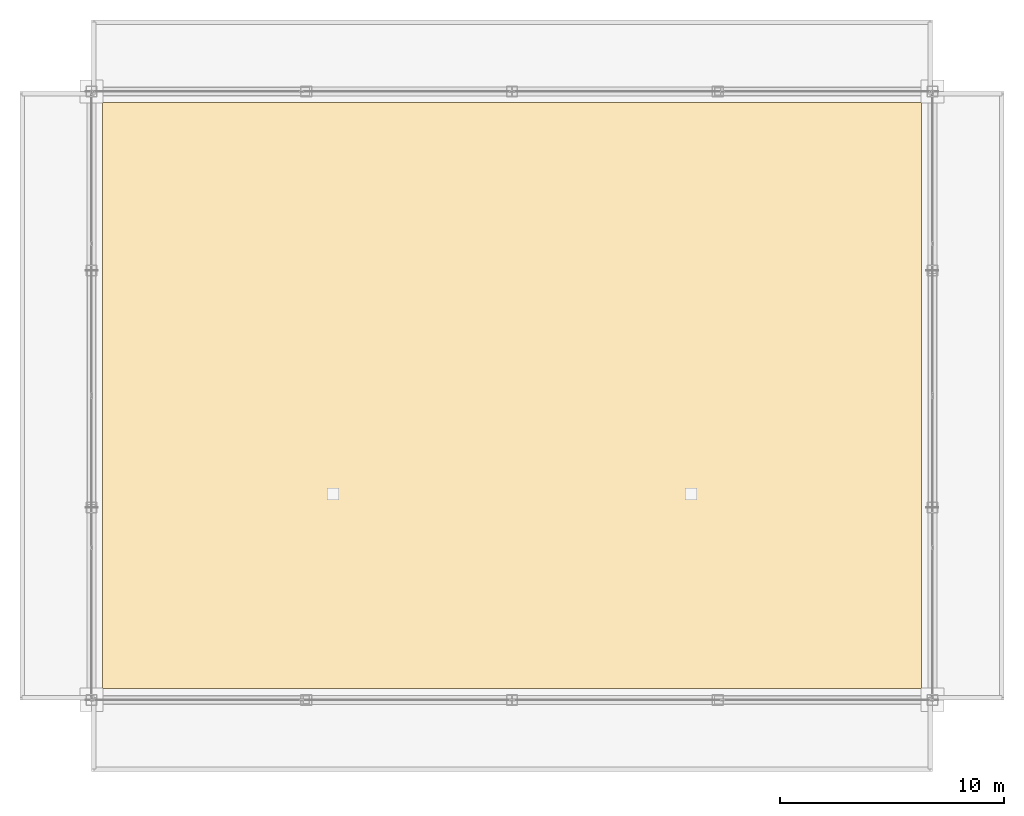
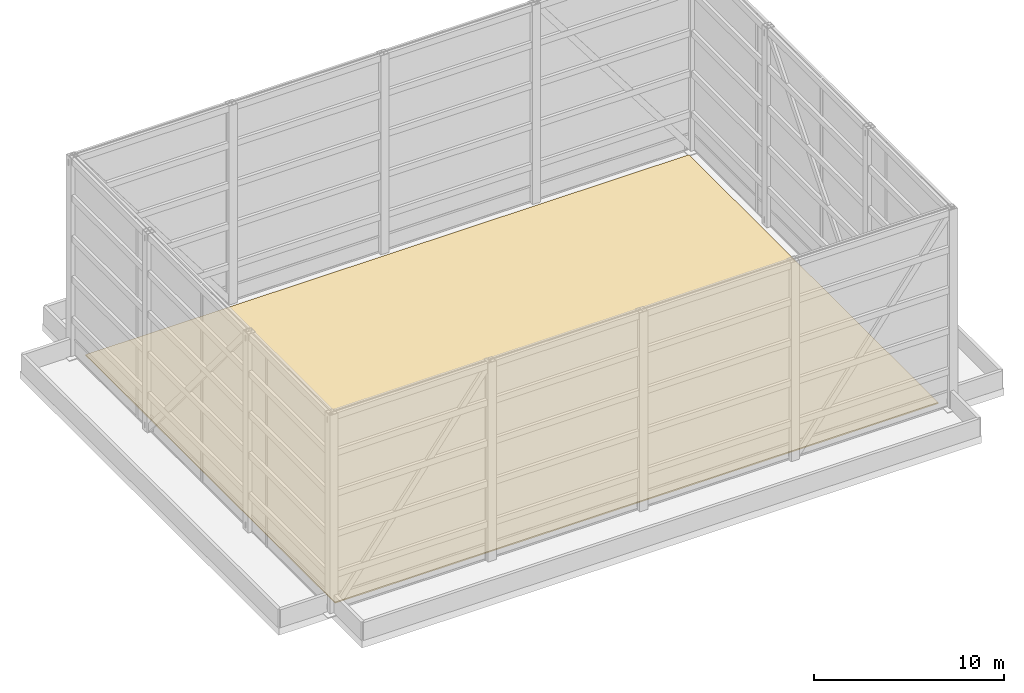
# One storey, part 23 of 23: 1 covering.
"""IFC4 building model written with IfcOpenShell, lengths in metres."""

from ifc_helpers import new_model, si_unit, direction, frame, origin, place, context, subcontext, project, spatial, polyline, outline, extrude, material, layer, layer_set, type_object, element, save


model = new_model("IFC4")

# Units and contexts
model_context = context("Model", 3, precision=1e-05, world=origin(), true_north=direction((0.0, 1.0)))
body_context = subcontext(model_context, "Body", "Model", "MODEL_VIEW")
ifc_project = project(units=[si_unit("LENGTHUNIT", "METRE"), si_unit("AREAUNIT", "SQUARE_METRE"), si_unit("VOLUMEUNIT", "CUBIC_METRE"), si_unit("PLANEANGLEUNIT", "RADIAN"), si_unit("MASSUNIT", "GRAM", prefix="KILO")], contexts=[model_context])

# Site, building, storey
site_placement = place(None, origin())
site = spatial("IfcSite", under=ifc_project, at=site_placement, CompositionType="ELEMENT")
building_placement = place(site_placement, origin())
building = spatial("IfcBuilding", under=site, at=building_placement, Name="Varnel Quay Broadcast Tower", CompositionType="ELEMENT")
storey_placement = place(building_placement, frame((0.0, 0.0, 319.800048828125)))
storey = spatial("IfcBuildingStorey", under=building, at=storey_placement, Name="Roof", CompositionType="ELEMENT", Elevation=319.800048828125)

# Covering
ifc_material = material(Name="Insulated SBS Modified Bitumen Roof Membrane")
ifc_layer = layer(ifc_material, 0.080078125, Name="Insulated SBS Modified Bitumen Roof Membrane")
ifc_layer_set = layer_set([ifc_layer], Name="Insulated SBS Modified Bitumen Roof Membrane")
covering_type = type_object("IfcCoveringType", Name="Cov_RoofMembrane", PredefinedType="ROOFING", material=ifc_layer_set)
covering_placement = place(storey_placement, origin())
element("IfcCovering", 1, at=covering_placement, inside=storey, type_object=covering_type, Name="Crown Deck Waterproof Membrane", PredefinedType="ROOFING", context=body_context, shape_type="SweptSolid", body=[
    extrude(outline(polyline([(15.699951171875, 16.89990234375), (52.300048828125, 16.89990234375), (52.300048828125, 43.10009765625), (15.699951171875, 43.10009765625), (15.699951171875, 16.89990234375)])), origin(), (0.0, 0.0, 1.0), 0.079833984375),
])

save(model, "model.ifc")
